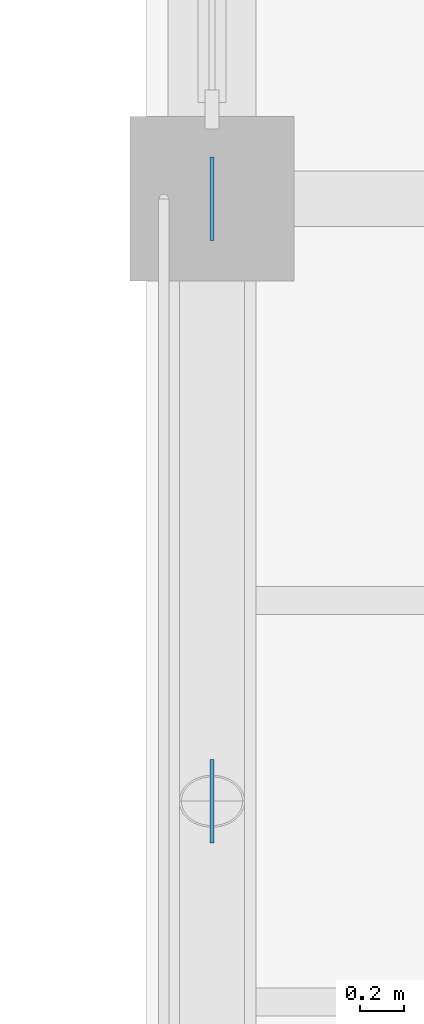
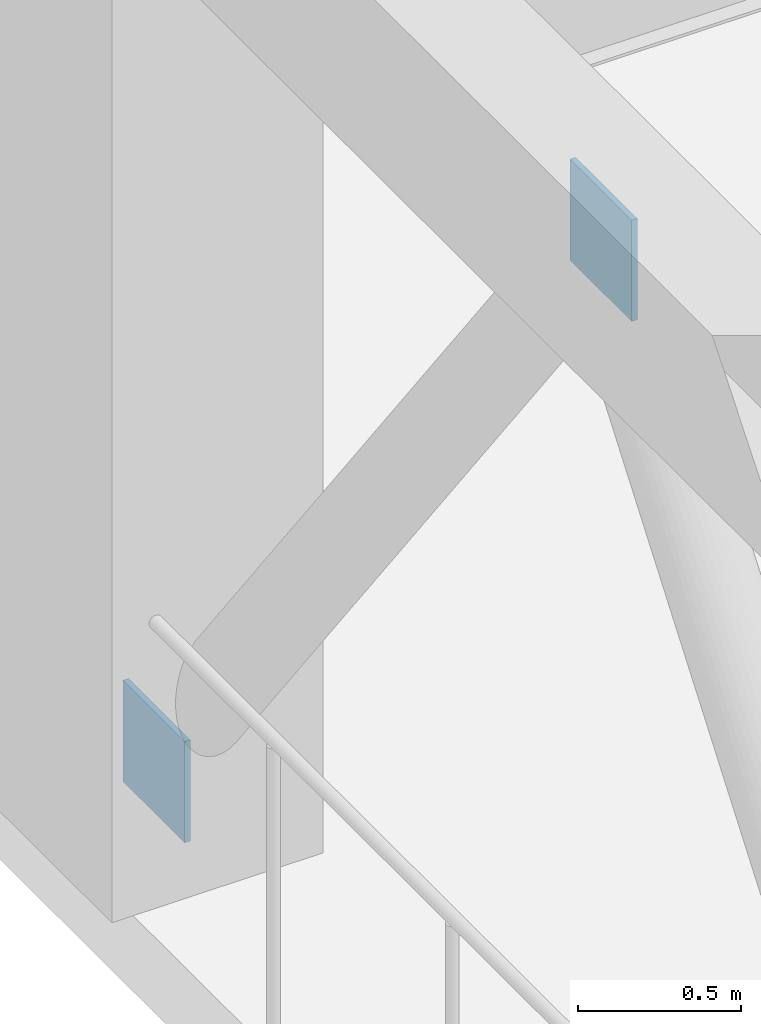
# One storey, part 66 of 85: 2 plates.
"""IFC4 building model written with IfcOpenShell, lengths in metres."""

from ifc_helpers import new_model, si_unit, direction, frame, origin, origin_2d, place, context, subcontext, project, spatial, rectangle, extrude, material, layer, layer_set, type_object, element, save


model = new_model("IFC4")

# Units and contexts
model_context = context("Model", 3, precision=1e-05, world=origin(), true_north=direction((0.0, 1.0)))
body_context = subcontext(model_context, "Body", "Model", "MODEL_VIEW")
ifc_project = project(units=[si_unit("LENGTHUNIT", "METRE"), si_unit("AREAUNIT", "SQUARE_METRE"), si_unit("VOLUMEUNIT", "CUBIC_METRE"), si_unit("PLANEANGLEUNIT", "RADIAN"), si_unit("MASSUNIT", "GRAM", prefix="KILO")], contexts=[model_context])

# Site, building, storey
site_placement = place(None, origin())
site = spatial("IfcSite", under=ifc_project, at=site_placement, CompositionType="ELEMENT")
building_placement = place(site_placement, origin())
building = spatial("IfcBuilding", under=site, at=building_placement, Name="Candilejo Ridge Gondola Terminal", CompositionType="ELEMENT")
storey_placement = place(building_placement, frame((0.0, 0.0, 4.5)))
storey = spatial("IfcBuildingStorey", under=building, at=storey_placement, Name="L01", CompositionType="ELEMENT", Elevation=4.5)

# Plates
ifc_material = material(Name="Steel ASTM A572 Grade 50", Category="steel")
ifc_layer = layer(ifc_material, 0.02001953125)
ifc_layer_set = layer_set([ifc_layer], Name="STR-NODE-PLATE-380X380X20")
plate_type = type_object("IfcPlateType", Name="STR-NODE-PLATE-380X380X20", PredefinedType="USERDEFINED", material=ifc_layer_set)
for number, where, z_axis, x_axis, name in (
    (1, (133.89990234375, 39.449951171875, 3.68505859375), (0.0, 0.0, 1.0), (1.0, 0.0, 0.0), "Chevron gusset plate 217"),
    (2, (133.89990234375, 42.199951171875, 0.06005859375), (0.0, 0.0, 1.0), (1.0, 0.0, 0.0), "Chevron gusset plate 219"),
):
    element("IfcPlate", number, at=place(storey_placement, frame(where, z_axis=z_axis, x_axis=x_axis)), inside=storey, type_object=plate_type, Name=name, ObjectType="NODE PLATE", PredefinedType="USERDEFINED", context=body_context, shape_type="SweptSolid", body=[
        extrude(rectangle(XDim=0.02001953125, YDim=0.3798828125, at=origin_2d()), origin(), (0.0, 0.0, 1.0), 0.3798828125),
    ])

save(model, "model.ifc")
